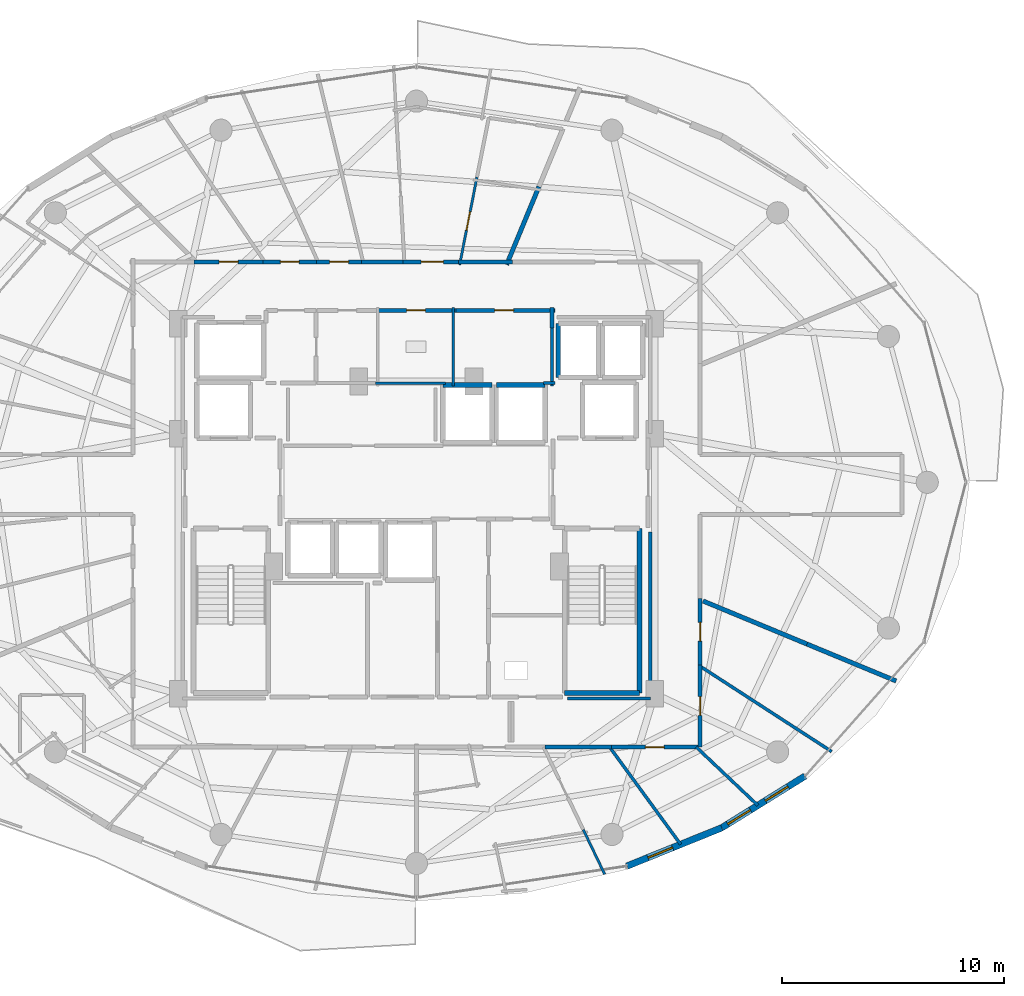
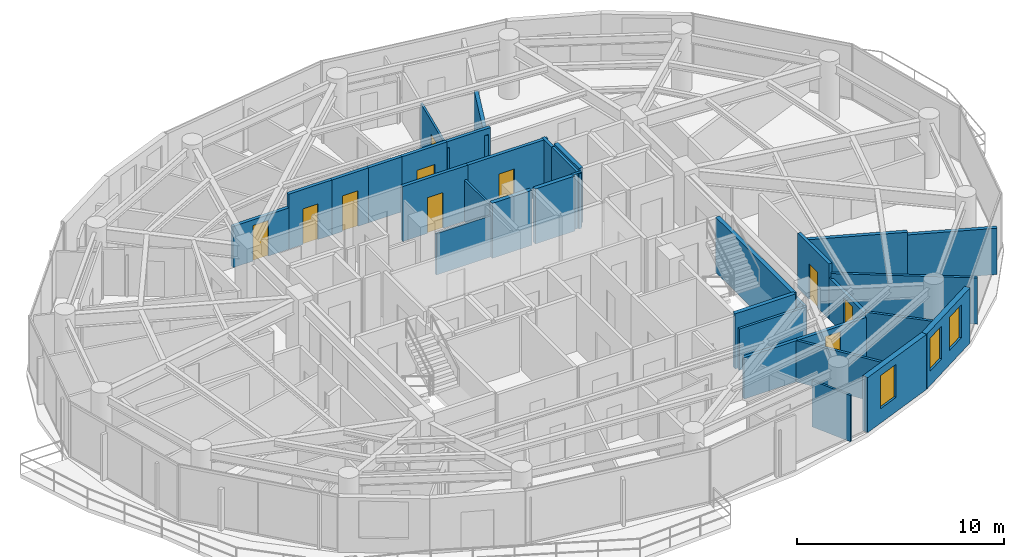
# One storey, part 23 of 28: 34 walls, 10 doors, 3 windows, 13 openings.
"""IFC4 building model written with IfcOpenShell, lengths in metres."""

from ifc_helpers import new_model, si_unit, direction, frame, frame_2d, origin, place, context, subcontext, project, spatial, rectangle, extrude, material, layer, layer_set, type_object, element, fill, save


model = new_model("IFC4")

# Units and contexts
model_context = context("Model", 3, precision=1e-05, world=origin(), true_north=direction((0.0, 1.0)))
body_context = subcontext(model_context, "Body", "Model", "MODEL_VIEW")
ifc_project = project(units=[si_unit("LENGTHUNIT", "METRE"), si_unit("AREAUNIT", "SQUARE_METRE"), si_unit("VOLUMEUNIT", "CUBIC_METRE"), si_unit("PLANEANGLEUNIT", "RADIAN"), si_unit("MASSUNIT", "GRAM", prefix="KILO")], contexts=[model_context])

# Site, building, storey
site_placement = place(None, origin())
site = spatial("IfcSite", under=ifc_project, at=site_placement, CompositionType="ELEMENT")
building_placement = place(site_placement, origin())
building = spatial("IfcBuilding", under=site, at=building_placement, Name="Vorneva Point Tower", CompositionType="ELEMENT")
storey_placement = place(building_placement, frame((0.0, 0.0, 164.10009765625)))
storey = spatial("IfcBuildingStorey", under=building, at=storey_placement, Name="L44", CompositionType="ELEMENT", Elevation=164.10009765625)

# Wall, opening, window
ifc_material_1 = material(Name="Precast concrete B50 (C40/50)", Category="concrete")
ifc_layer_1 = layer(ifc_material_1, 0.300048828125)
ifc_layer_set_1 = layer_set([ifc_layer_1], Name="Precast concrete B50 (C40/50)")
wall_type_1 = type_object("IfcWallType", Name="WL-EXT-300", PredefinedType="STANDARD", material=ifc_layer_set_1)
wall_1_placement = place(storey_placement, frame((47.490478515625, 8.67724609375, 0.0), z_axis=(0.0, 0.0, 1.0), x_axis=(0.927156504392, 0.374674280359, 0.0)))
wall_1 = element("IfcWall", 1, at=wall_1_placement, inside=storey, type_object=wall_type_1, Name="L44 Pale-Metal Facade Spandrel Wall 14.1", PredefinedType="STANDARD", context=body_context, shape_type="SweptSolid", body=[
    extrude(rectangle(XDim=4.62451171875, YDim=0.300048828125, at=frame_2d((2.312255859375, 0.0))), origin(), (0.0, 0.0, 1.0), 3.239990234375),
])
opening_1_placement = place(wall_1_placement, frame((1.02978515625, 0.0, 0.85009765625)))
opening_1 = element("IfcOpeningElement", 2, at=opening_1_placement, cuts=wall_1, Name="Opening W-04", PredefinedType="OPENING", context=body_context, shape_type="SweptSolid", body=[
    extrude(rectangle(XDim=1.199951171875, YDim=1.949951171875, at=frame_2d((0.60009765625, 0.97509765625))), frame((0.0, 0.1650390625, 0.0), z_axis=(0.0, -1.0, 0.0), x_axis=(1.0, 0.0, 0.0)), (0.0, 0.0, 1.0), 0.329833984375),
])
ifc_material_2 = material(Name="Double low-e laminated glass IGU", Category="glass")
window_type = type_object("IfcWindowType", Name="WN-RES-1200", PartitioningType="SINGLE_PANEL", PredefinedType="WINDOW", material=ifc_material_2)
window_1_placement = place(opening_1_placement, origin())
window_1 = element("IfcWindow", 3, at=window_1_placement, inside=storey, type_object=window_type, Name="L44 Dwelling Vision Window 03", OverallHeight=1.949951171875, OverallWidth=1.199951171875, PartitioningType="SINGLE_PANEL", PredefinedType="WINDOW", context=body_context, shape_type="SweptSolid", body=[
    extrude(rectangle(XDim=1.199951171875, YDim=1.949951171875, at=frame_2d((0.60009765625, 0.97509765625))), frame((0.0, 0.030029296875, 0.0), z_axis=(0.0, -1.0, 0.0), x_axis=(1.0, 0.0, 0.0)), (0.0, 0.0, 1.0), 0.06005859375),
])
fill(opening_1, window_1)

# Wall, openings, windows
wall_2_placement = place(storey_placement, frame((51.778076171875, 10.409912109375, 0.0), z_axis=(0.0, 0.0, 1.0), x_axis=(0.849721181976, 0.527232313977, 0.0)))
wall_2 = element("IfcWall", 4, at=wall_2_placement, inside=storey, type_object=wall_type_1, Name="L44 Pale-Metal Facade Spandrel Wall 14.2", PredefinedType="STANDARD", context=body_context, shape_type="SweptSolid", body=[
    extrude(rectangle(XDim=4.422607421875, YDim=0.300048828125, at=frame_2d((2.21142578125, 0.0))), origin(), (0.0, 0.0, 1.0), 3.239990234375),
])
opening_2_placement = place(wall_2_placement, frame((0.316650390625, 0.0, 0.85009765625)))
opening_2 = element("IfcOpeningElement", 5, at=opening_2_placement, cuts=wall_2, Name="Opening W-04", PredefinedType="OPENING", context=body_context, shape_type="SweptSolid", body=[
    extrude(rectangle(XDim=1.199951171875, YDim=1.949951171875, at=frame_2d((0.60009765625, 0.97509765625))), frame((0.0, 0.1650390625, 0.0), z_axis=(0.0, -1.0, 0.0), x_axis=(1.0, 0.0, 0.0)), (0.0, 0.0, 1.0), 0.329833984375),
])
opening_3_placement = place(wall_2_placement, frame((2.317626953125, 0.0, 0.85009765625)))
opening_3 = element("IfcOpeningElement", 6, at=opening_3_placement, cuts=wall_2, Name="Opening W-04", PredefinedType="OPENING", context=body_context, shape_type="SweptSolid", body=[
    extrude(rectangle(XDim=1.199951171875, YDim=1.949951171875, at=frame_2d((0.60009765625, 0.97509765625))), frame((0.0, 0.1650390625, 0.0), z_axis=(0.0, -1.0, 0.0), x_axis=(1.0, 0.0, 0.0)), (0.0, 0.0, 1.0), 0.329833984375),
])
window_2_placement = place(opening_2_placement, origin())
window_2 = element("IfcWindow", 7, at=window_2_placement, inside=storey, type_object=window_type, Name="L44 Dwelling Vision Window 04", OverallHeight=1.949951171875, OverallWidth=1.199951171875, PartitioningType="SINGLE_PANEL", PredefinedType="WINDOW", context=body_context, shape_type="SweptSolid", body=[
    extrude(rectangle(XDim=1.199951171875, YDim=1.949951171875, at=frame_2d((0.60009765625, 0.97509765625))), frame((0.0, 0.030029296875, 0.0), z_axis=(0.0, -1.0, 0.0), x_axis=(1.0, 0.0, 0.0)), (0.0, 0.0, 1.0), 0.06005859375),
])
fill(opening_2, window_2)
window_3_placement = place(opening_3_placement, origin())
window_3 = element("IfcWindow", 8, at=window_3_placement, inside=storey, type_object=window_type, Name="L44 Dwelling Vision Window 05", OverallHeight=1.949951171875, OverallWidth=1.199951171875, PartitioningType="SINGLE_PANEL", PredefinedType="WINDOW", context=body_context, shape_type="SweptSolid", body=[
    extrude(rectangle(XDim=1.199951171875, YDim=1.949951171875, at=frame_2d((0.60009765625, 0.97509765625))), frame((0.0, 0.030029296875, 0.0), z_axis=(0.0, -1.0, 0.0), x_axis=(1.0, 0.0, 0.0)), (0.0, 0.0, 1.0), 0.06005859375),
])
fill(opening_3, window_3)

# Walls
ifc_material_3 = material(Name="Fire-rated acoustic gypsum stud partition", Category="gypsum")
ifc_layer_2 = layer(ifc_material_3, 0.110107421875)
ifc_layer_set_2 = layer_set([ifc_layer_2], Name="Fire-rated acoustic gypsum stud partition")
wall_type_2 = type_object("IfcWallType", Name="WL-PART-110", PredefinedType="PARTITIONING", material=ifc_layer_set_2)
wall_3_placement = place(storey_placement, frame((39.64990234375, 30.340087890625, 0.0), z_axis=(0.0, 0.0, 1.0), x_axis=(0.0, 1.0, 0.0)))
element("IfcWall", 9, at=wall_3_placement, inside=storey, type_object=wall_type_2, Name="L44 Interior Partition 022", PredefinedType="PARTITIONING", context=body_context, shape_type="SweptSolid", body=[
    extrude(rectangle(XDim=3.559814453125, YDim=0.110107421875, at=frame_2d((1.77978515625, 0.0))), origin(), (0.0, 0.0, 1.0), 2.431884765625),
])
wall_4_placement = place(storey_placement, frame((36.159912109375, 30.47998046875, 0.0), z_axis=(0.0, 0.0, 1.0), x_axis=(1.0, 0.0, 0.0)))
element("IfcWall", 10, at=wall_4_placement, inside=storey, type_object=wall_type_2, Name="L44 Interior Partition 023", PredefinedType="PARTITIONING", context=body_context, shape_type="SweptSolid", body=[
    extrude(rectangle(XDim=3.16015625, YDim=0.110107421875, at=frame_2d((1.580078125, 0.0))), origin(), (0.0, 0.0, 1.0), 2.431884765625),
])

# Wall, opening, door
wall_5_placement = place(storey_placement, frame((39.94580078125, 35.812744140625, 0.0), z_axis=(0.0, 0.0, 1.0), x_axis=(0.194333977895, 0.980935423479, 0.0)))
wall_5 = element("IfcWall", 11, at=wall_5_placement, inside=storey, type_object=wall_type_2, Name="L44 Interior Partition 066", PredefinedType="PARTITIONING", context=body_context, shape_type="SweptSolid", body=[
    extrude(rectangle(XDim=4.031494140625, YDim=0.110107421875, at=frame_2d((2.015625, 0.0))), origin(), (0.0, 0.0, 1.0), 2.885986328125),
])
opening_4_placement = place(wall_5_placement, frame((1.5908203125, 0.0, 0.0)))
opening_4 = element("IfcOpeningElement", 12, at=opening_4_placement, cuts=wall_5, Name="Opening ID-02", PredefinedType="OPENING", context=body_context, shape_type="SweptSolid", body=[
    extrude(rectangle(XDim=0.85009765625, YDim=2.10009765625, at=frame_2d((0.425048828125, 1.050048828125))), frame((0.0, 0.06982421875, 0.0), z_axis=(0.0, -1.0, 0.0), x_axis=(1.0, 0.0, 0.0)), (0.0, 0.0, 1.0), 0.139892578125),
])
ifc_material_4 = material(Name="Engineered oak fire-rated door leaf", Category="wood")
door_type_1 = type_object("IfcDoorType", Name="DR-BATH-850", OperationType="NOTDEFINED", PredefinedType="DOOR", material=ifc_material_4)
door_1_placement = place(opening_4_placement, origin())
door_1 = element("IfcDoor", 13, at=door_1_placement, inside=storey, type_object=door_type_1, Name="L44 Door Living and Dining Room L44-01 / Bathroom L44-01", OperationType="SINGLE_SWING_LEFT", OverallHeight=2.10009765625, OverallWidth=0.85009765625, PredefinedType="DOOR", context=body_context, shape_type="SweptSolid", body=[
    extrude(rectangle(XDim=0.85009765625, YDim=2.10009765625, at=frame_2d((0.425048828125, 1.050048828125))), frame((0.0, 0.02490234375, 0.0), z_axis=(0.0, -1.0, 0.0), x_axis=(1.0, 0.0, 0.0)), (0.0, 0.0, 1.0), 0.050048828125),
])
fill(opening_4, door_1)

# Walls
wall_6_placement = place(storey_placement, frame((45.525390625, 10.3271484375, 0.0), z_axis=(0.0, 0.0, 1.0), x_axis=(0.433064390328, -0.901362986721, 0.0)))
element("IfcWall", 14, at=wall_6_placement, inside=storey, type_object=wall_type_2, Name="L44 Interior Partition 118", PredefinedType="PARTITIONING", context=body_context, shape_type="SweptSolid", body=[
    extrude(rectangle(XDim=2.238037109375, YDim=0.110107421875, at=frame_2d((1.119140625, 0.0))), origin(), (0.0, 0.0, 1.0), 2.727783203125),
])
ifc_layer_3 = layer(ifc_material_3, 0.139892578125)
ifc_layer_set_3 = layer_set([ifc_layer_3], Name="Fire-rated acoustic gypsum stud partition")
wall_type_3 = type_object("IfcWallType", Name="WL-PART-140", PredefinedType="PARTITIONING", material=ifc_layer_set_3)
wall_7_placement = place(storey_placement, frame((49.919921875, 9.660888671875, 0.0), z_axis=(0.0, 0.0, 1.0), x_axis=(-0.589349395673, 0.807878264233, 0.0)))
element("IfcWall", 15, at=wall_7_placement, inside=storey, type_object=wall_type_3, Name="L44 Interior Partition 121", PredefinedType="PARTITIONING", context=body_context, shape_type="SweptSolid", body=[
    extrude(rectangle(XDim=5.432861328125, YDim=0.139892578125, at=frame_2d((2.71630859375, 0.0))), origin(), (0.0, 0.0, 1.0), 2.431884765625),
])
wall_8_placement = place(storey_placement, frame((53.404052734375, 11.4208984375, 0.0), z_axis=(0.0, 0.0, 1.0), x_axis=(-0.726306487509, 0.687370996044, 0.0)))
element("IfcWall", 16, at=wall_8_placement, inside=storey, type_object=wall_type_3, Name="L44 Interior Partition 122", PredefinedType="PARTITIONING", context=body_context, shape_type="SweptSolid", body=[
    extrude(rectangle(XDim=3.824951171875, YDim=0.139892578125, at=frame_2d((1.91259765625, 0.0))), origin(), (0.0, 0.0, 1.0), 2.727783203125),
])
wall_9_placement = place(storey_placement, frame((56.736083984375, 13.85009765625, 0.0), z_axis=(0.0, 0.0, 1.0), x_axis=(-0.839059638195, 0.544039450364, 0.0)))
element("IfcWall", 17, at=wall_9_placement, inside=storey, type_object=wall_type_3, Name="L44 Interior Partition 123", PredefinedType="PARTITIONING", context=body_context, shape_type="SweptSolid", body=[
    extrude(rectangle(XDim=7.07470703125, YDim=0.139892578125, at=frame_2d((3.537353515625, 0.0))), origin(), (0.0, 0.0, 1.0), 2.727783203125),
])
wall_10_placement = place(storey_placement, frame((43.735107421875, 30.47998046875, 0.0), z_axis=(0.0, 0.0, 1.0), x_axis=(1.0, 0.0, 0.0)))
element("IfcWall", 18, at=wall_10_placement, inside=storey, type_object=wall_type_3, Name="L44 Interior Closure Partition 130", PredefinedType="PARTITIONING", context=body_context, shape_type="SweptSolid", body=[
    extrude(rectangle(XDim=0.52490234375, YDim=0.139892578125, at=frame_2d((0.262451171875, 0.0))), origin(), (0.0, 0.0, 1.0), 3.239990234375),
])
wall_11_placement = place(storey_placement, frame((44.1201171875, 30.340087890625, 0.0), z_axis=(0.0, 0.0, 1.0), x_axis=(0.0, 1.0, 0.0)))
element("IfcWall", 19, at=wall_11_placement, inside=storey, type_object=wall_type_3, Name="L44 Interior Closure Partition 131", PredefinedType="PARTITIONING", context=body_context, shape_type="SweptSolid", body=[
    extrude(rectangle(XDim=2.659912109375, YDim=0.139892578125, at=frame_2d((1.330078125, 0.0))), origin(), (0.0, 0.0, 1.0), 3.239990234375),
])
wall_12_placement = place(storey_placement, frame((48.550048828125, 16.239990234375, 0.0), z_axis=(0.0, 0.0, 1.0), x_axis=(0.0, 1.0, 0.0)))
element("IfcWall", 20, at=wall_12_placement, inside=storey, type_object=wall_type_3, Name="L44 Interior Closure Partition 136", PredefinedType="PARTITIONING", context=body_context, shape_type="SweptSolid", body=[
    extrude(rectangle(XDim=7.513916015625, YDim=0.139892578125, at=frame_2d((3.7568359375, 0.0))), origin(), (0.0, 0.0, 1.0), 2.431884765625),
])
wall_13_placement = place(storey_placement, frame((44.804931640625, 16.239990234375, 0.0), z_axis=(0.0, 0.0, 1.0), x_axis=(1.0, 0.0, 0.0)))
element("IfcWall", 21, at=wall_13_placement, inside=storey, type_object=wall_type_3, Name="L44 Interior Closure Partition 146", PredefinedType="PARTITIONING", context=body_context, shape_type="SweptSolid", body=[
    extrude(rectangle(XDim=3.7451171875, YDim=0.139892578125, at=frame_2d((1.87255859375, 0.0))), origin(), (0.0, 0.0, 1.0), 2.431884765625),
])

# Wall, opening, door
ifc_material_5 = material(Name="Autoclaved aerated concrete blockwork", Category="masonry")
ifc_layer_4 = layer(ifc_material_5, 0.179931640625)
ifc_layer_set_4 = layer_set([ifc_layer_4], Name="Autoclaved aerated concrete blockwork")
wall_type_4 = type_object("IfcWallType", Name="WL-PART-180", PredefinedType="PARTITIONING", material=ifc_layer_set_4)
wall_14_placement = place(storey_placement, frame((39.7900390625, 33.760009765625, 0.0), z_axis=(0.0, 0.0, 1.0), x_axis=(-1.0, 0.0, 0.0)))
wall_14 = element("IfcWall", 22, at=wall_14_placement, inside=storey, type_object=wall_type_4, Name="L44 Interior Partition 024", PredefinedType="PARTITIONING", context=body_context, shape_type="SweptSolid", body=[
    extrude(rectangle(XDim=3.630126953125, YDim=0.179931640625, at=frame_2d((1.81494140625, 0.0))), origin(), (0.0, 0.0, 1.0), 3.239990234375),
])
opening_5_placement = place(wall_14_placement, frame((1.389892578125, 0.0, 0.0)))
opening_5 = element("IfcOpeningElement", 23, at=opening_5_placement, cuts=wall_14, Name="Opening ID-02", PredefinedType="OPENING", context=body_context, shape_type="SweptSolid", body=[
    extrude(rectangle(XDim=0.85009765625, YDim=2.10009765625, at=frame_2d((0.425048828125, 1.050048828125))), frame((0.0, 0.10498046875, 0.0), z_axis=(0.0, -1.0, 0.0), x_axis=(1.0, 0.0, 0.0)), (0.0, 0.0, 1.0), 0.209716796875),
])
door_2_placement = place(opening_5_placement, origin())
door_2 = element("IfcDoor", 24, at=door_2_placement, inside=storey, type_object=door_type_1, Name="L44 Door Accessible WC / L44 Circulation Corridor", OperationType="SINGLE_SWING_LEFT", OverallHeight=2.10009765625, OverallWidth=0.85009765625, PredefinedType="DOOR", context=body_context, shape_type="SweptSolid", body=[
    extrude(rectangle(XDim=0.85009765625, YDim=2.10009765625, at=frame_2d((0.425048828125, 1.050048828125))), frame((0.0, 0.02490234375, 0.0), z_axis=(0.0, -1.0, 0.0), x_axis=(1.0, 0.0, 0.0)), (0.0, 0.0, 1.0), 0.050048828125),
])
fill(opening_5, door_2)

wall_15_placement = place(storey_placement, frame((44.260009765625, 33.760009765625, 0.0), z_axis=(0.0, 0.0, 1.0), x_axis=(-1.0, 0.0, 0.0)))
wall_15 = element("IfcWall", 25, at=wall_15_placement, inside=storey, type_object=wall_type_4, Name="L44 Interior Partition 025", PredefinedType="PARTITIONING", context=body_context, shape_type="SweptSolid", body=[
    extrude(rectangle(XDim=4.610107421875, YDim=0.179931640625, at=frame_2d((2.30517578125, 0.0))), origin(), (0.0, 0.0, 1.0), 3.239990234375),
])
opening_6_placement = place(wall_15_placement, frame((1.8798828125, 0.0, 0.0)))
opening_6 = element("IfcOpeningElement", 26, at=opening_6_placement, cuts=wall_15, Name="Opening ID-02", PredefinedType="OPENING", context=body_context, shape_type="SweptSolid", body=[
    extrude(rectangle(XDim=0.85009765625, YDim=2.10009765625, at=frame_2d((0.425048828125, 1.050048828125))), frame((0.0, 0.10498046875, 0.0), z_axis=(0.0, -1.0, 0.0), x_axis=(1.0, 0.0, 0.0)), (0.0, 0.0, 1.0), 0.209716796875),
])
door_3_placement = place(opening_6_placement, origin())
door_3 = element("IfcDoor", 27, at=door_3_placement, inside=storey, type_object=door_type_1, Name="L44 Door Public WC / L44 Circulation Corridor", OperationType="SINGLE_SWING_RIGHT", OverallHeight=2.10009765625, OverallWidth=0.85009765625, PredefinedType="DOOR", context=body_context, shape_type="SweptSolid", body=[
    extrude(rectangle(XDim=0.85009765625, YDim=2.10009765625, at=frame_2d((0.425048828125, 1.050048828125))), frame((0.0, 0.02490234375, 0.0), z_axis=(0.0, -1.0, 0.0), x_axis=(1.0, 0.0, 0.0)), (0.0, 0.0, 1.0), 0.050048828125),
])
fill(opening_6, door_3)

# Wall
wall_16_placement = place(storey_placement, frame((44.1201171875, 32.969970703125, 0.0), z_axis=(0.0, 0.0, 1.0), x_axis=(0.0, 1.0, 0.0)))
element("IfcWall", 28, at=wall_16_placement, inside=storey, type_object=wall_type_4, Name="L44 Interior Partition 026", PredefinedType="PARTITIONING", context=body_context, shape_type="SweptSolid", body=[
    extrude(rectangle(XDim=0.929931640625, YDim=0.179931640625, at=frame_2d((0.46484375, 0.0))), origin(), (0.0, 0.0, 1.0), 3.239990234375),
])

# Wall, opening, door
wall_17_placement = place(storey_placement, frame((40.033935546875, 35.949951171875, 0.0), z_axis=(0.0, 0.0, 1.0), x_axis=(-1.0, 0.0, 0.0)))
wall_17 = element("IfcWall", 29, at=wall_17_placement, inside=storey, type_object=wall_type_4, Name="L44 Interior Partition 030", PredefinedType="PARTITIONING", context=body_context, shape_type="SweptSolid", body=[
    extrude(rectangle(XDim=2.641845703125, YDim=0.179931640625, at=frame_2d((1.32080078125, 0.0))), origin(), (0.0, 0.0, 1.0), 3.239990234375),
])
opening_7_placement = place(wall_17_placement, frame((0.821044921875, 0.0, 0.0)))
opening_7 = element("IfcOpeningElement", 30, at=opening_7_placement, cuts=wall_17, Name="Opening UD-01", PredefinedType="OPENING", context=body_context, shape_type="SweptSolid", body=[
    extrude(rectangle(XDim=1.0, YDim=2.14990234375, at=frame_2d((0.5, 1.074951171875))), frame((0.0, 0.10498046875, 0.0), z_axis=(0.0, -1.0, 0.0), x_axis=(1.0, 0.0, 0.0)), (0.0, 0.0, 1.0), 0.209716796875),
])
door_type_2 = type_object("IfcDoorType", Name="DR-UNIT-1000", OperationType="NOTDEFINED", PredefinedType="DOOR", material=ifc_material_4)
door_4_placement = place(opening_7_placement, origin())
door_4 = element("IfcDoor", 31, at=door_4_placement, inside=storey, type_object=door_type_2, Name="L44 Door L44 Circulation Corridor / Living and Dining Room L44-01", OperationType="SINGLE_SWING_LEFT", OverallHeight=2.14990234375, OverallWidth=1.0, PredefinedType="DOOR", context=body_context, shape_type="SweptSolid", body=[
    extrude(rectangle(XDim=1.0, YDim=2.14990234375, at=frame_2d((0.5, 1.074951171875))), frame((0.0, 0.02490234375, 0.0), z_axis=(0.0, -1.0, 0.0), x_axis=(1.0, 0.0, 0.0)), (0.0, 0.0, 1.0), 0.050048828125),
])
fill(opening_7, door_4)

# Walls
wall_18_placement = place(storey_placement, frame((42.325927734375, 35.949951171875, 0.0), z_axis=(0.0, 0.0, 1.0), x_axis=(-1.0, 0.0, 0.0)))
element("IfcWall", 32, at=wall_18_placement, inside=storey, type_object=wall_type_4, Name="L44 Interior Partition 031", PredefinedType="PARTITIONING", context=body_context, shape_type="SweptSolid", body=[
    extrude(rectangle(XDim=2.431884765625, YDim=0.179931640625, at=frame_2d((1.2158203125, 0.0))), origin(), (0.0, 0.0, 1.0), 3.239990234375),
])
wall_19_placement = place(storey_placement, frame((37.39208984375, 35.949951171875, 0.0), z_axis=(0.0, 0.0, 1.0), x_axis=(-1.0, 0.0, 0.0)))
element("IfcWall", 33, at=wall_19_placement, inside=storey, type_object=wall_type_4, Name="L44 Interior Partition 032", PredefinedType="PARTITIONING", context=body_context, shape_type="SweptSolid", body=[
    extrude(rectangle(XDim=1.863037109375, YDim=0.179931640625, at=frame_2d((0.931640625, 0.0))), origin(), (0.0, 0.0, 1.0), 3.239990234375),
])

# Wall, opening, door
wall_20_placement = place(storey_placement, frame((35.529052734375, 35.949951171875, 0.0), z_axis=(0.0, 0.0, 1.0), x_axis=(-1.0, 0.0, 0.0)))
wall_20 = element("IfcWall", 34, at=wall_20_placement, inside=storey, type_object=wall_type_4, Name="L44 Interior Partition 033", PredefinedType="PARTITIONING", context=body_context, shape_type="SweptSolid", body=[
    extrude(rectangle(XDim=2.041015625, YDim=0.179931640625, at=frame_2d((1.0205078125, 0.0))), origin(), (0.0, 0.0, 1.0), 3.239990234375),
])
opening_8_placement = place(wall_20_placement, frame((0.595458984375, 0.0, 0.0)))
opening_8 = element("IfcOpeningElement", 35, at=opening_8_placement, cuts=wall_20, Name="Opening ID-02", PredefinedType="OPENING", context=body_context, shape_type="SweptSolid", body=[
    extrude(rectangle(XDim=0.85009765625, YDim=2.10009765625, at=frame_2d((0.425048828125, 1.050048828125))), frame((0.0, 0.10498046875, 0.0), z_axis=(0.0, -1.0, 0.0), x_axis=(1.0, 0.0, 0.0)), (0.0, 0.0, 1.0), 0.209716796875),
])
door_5_placement = place(opening_8_placement, origin())
door_5 = element("IfcDoor", 36, at=door_5_placement, inside=storey, type_object=door_type_1, Name="L44 Access Door L44 Circulation Corridor", OperationType="SINGLE_SWING_RIGHT", OverallHeight=2.10009765625, OverallWidth=0.85009765625, PredefinedType="DOOR", context=body_context, shape_type="SweptSolid", body=[
    extrude(rectangle(XDim=0.85009765625, YDim=2.10009765625, at=frame_2d((0.425048828125, 1.050048828125))), frame((0.0, 0.02490234375, 0.0), z_axis=(0.0, -1.0, 0.0), x_axis=(1.0, 0.0, 0.0)), (0.0, 0.0, 1.0), 0.050048828125),
])
fill(opening_8, door_5)

wall_21_placement = place(storey_placement, frame((33.488037109375, 35.949951171875, 0.0), z_axis=(0.0, 0.0, 1.0), x_axis=(-1.0, 0.0, 0.0)))
wall_21 = element("IfcWall", 37, at=wall_21_placement, inside=storey, type_object=wall_type_4, Name="L44 Interior Partition 034", PredefinedType="PARTITIONING", context=body_context, shape_type="SweptSolid", body=[
    extrude(rectangle(XDim=2.408935546875, YDim=0.179931640625, at=frame_2d((1.20458984375, 0.0))), origin(), (0.0, 0.0, 1.0), 3.239990234375),
])
opening_9_placement = place(wall_21_placement, frame((0.779541015625, 0.0, 0.0)))
opening_9 = element("IfcOpeningElement", 38, at=opening_9_placement, cuts=wall_21, Name="Opening ID-02", PredefinedType="OPENING", context=body_context, shape_type="SweptSolid", body=[
    extrude(rectangle(XDim=0.85009765625, YDim=2.10009765625, at=frame_2d((0.425048828125, 1.050048828125))), frame((0.0, 0.10498046875, 0.0), z_axis=(0.0, -1.0, 0.0), x_axis=(1.0, 0.0, 0.0)), (0.0, 0.0, 1.0), 0.209716796875),
])
door_6_placement = place(opening_9_placement, origin())
door_6 = element("IfcDoor", 39, at=door_6_placement, inside=storey, type_object=door_type_1, Name="L44 Access Door L44 Circulation Corridor", OperationType="SINGLE_SWING_LEFT", OverallHeight=2.10009765625, OverallWidth=0.85009765625, PredefinedType="DOOR", context=body_context, shape_type="SweptSolid", body=[
    extrude(rectangle(XDim=0.85009765625, YDim=2.10009765625, at=frame_2d((0.425048828125, 1.050048828125))), frame((0.0, 0.02490234375, 0.0), z_axis=(0.0, -1.0, 0.0), x_axis=(1.0, 0.0, 0.0)), (0.0, 0.0, 1.0), 0.050048828125),
])
fill(opening_9, door_6)

wall_22_placement = place(storey_placement, frame((31.0791015625, 35.949951171875, 0.0), z_axis=(0.0, 0.0, 1.0), x_axis=(-1.0, 0.0, 0.0)))
wall_22 = element("IfcWall", 40, at=wall_22_placement, inside=storey, type_object=wall_type_4, Name="L44 Interior Partition 035", PredefinedType="PARTITIONING", context=body_context, shape_type="SweptSolid", body=[
    extrude(rectangle(XDim=3.114013671875, YDim=0.179931640625, at=frame_2d((1.55712890625, 0.0))), origin(), (0.0, 0.0, 1.0), 2.431884765625),
])
opening_10_placement = place(wall_22_placement, frame((1.132080078125, 0.0, 0.0)))
opening_10 = element("IfcOpeningElement", 41, at=opening_10_placement, cuts=wall_22, Name="Opening ID-02", PredefinedType="OPENING", context=body_context, shape_type="SweptSolid", body=[
    extrude(rectangle(XDim=0.85009765625, YDim=2.10009765625, at=frame_2d((0.425048828125, 1.050048828125))), frame((0.0, 0.10498046875, 0.0), z_axis=(0.0, -1.0, 0.0), x_axis=(1.0, 0.0, 0.0)), (0.0, 0.0, 1.0), 0.209716796875),
])
door_7_placement = place(opening_10_placement, origin())
door_7 = element("IfcDoor", 42, at=door_7_placement, inside=storey, type_object=door_type_1, Name="L44 Access Door L44 Circulation Corridor", OperationType="SINGLE_SWING_RIGHT", OverallHeight=2.10009765625, OverallWidth=0.85009765625, PredefinedType="DOOR", context=body_context, shape_type="SweptSolid", body=[
    extrude(rectangle(XDim=0.85009765625, YDim=2.10009765625, at=frame_2d((0.425048828125, 1.050048828125))), frame((0.0, 0.02490234375, 0.0), z_axis=(0.0, -1.0, 0.0), x_axis=(1.0, 0.0, 0.0)), (0.0, 0.0, 1.0), 0.050048828125),
])
fill(opening_10, door_7)

# Wall
wall_23_placement = place(storey_placement, frame((43.804931640625, 14.050048828125, 0.0), z_axis=(0.0, 0.0, 1.0), x_axis=(1.0, 0.0, 0.0)))
element("IfcWall", 43, at=wall_23_placement, inside=storey, type_object=wall_type_4, Name="L44 Interior Partition 055", PredefinedType="PARTITIONING", context=body_context, shape_type="SweptSolid", body=[
    extrude(rectangle(XDim=2.987060546875, YDim=0.179931640625, at=frame_2d((1.49365234375, 0.0))), origin(), (0.0, 0.0, 1.0), 2.431884765625),
])

# Wall, opening, door
wall_24_placement = place(storey_placement, frame((46.7919921875, 14.050048828125, 0.0), z_axis=(0.0, 0.0, 1.0), x_axis=(1.0, 0.0, 0.0)))
wall_24 = element("IfcWall", 44, at=wall_24_placement, inside=storey, type_object=wall_type_4, Name="L44 Interior Partition 056", PredefinedType="PARTITIONING", context=body_context, shape_type="SweptSolid", body=[
    extrude(rectangle(XDim=3.9208984375, YDim=0.179931640625, at=frame_2d((1.96044921875, 0.0))), origin(), (0.0, 0.0, 1.0), 2.431884765625),
])
opening_11_placement = place(wall_24_placement, frame((1.535400390625, 0.0, 0.0)))
opening_11 = element("IfcOpeningElement", 45, at=opening_11_placement, cuts=wall_24, Name="Opening ID-02", PredefinedType="OPENING", context=body_context, shape_type="SweptSolid", body=[
    extrude(rectangle(XDim=0.85009765625, YDim=2.10009765625, at=frame_2d((0.425048828125, 1.050048828125))), frame((0.0, 0.10498046875, 0.0), z_axis=(0.0, -1.0, 0.0), x_axis=(1.0, 0.0, 0.0)), (0.0, 0.0, 1.0), 0.209716796875),
])
door_8_placement = place(opening_11_placement, origin())
door_8 = element("IfcDoor", 46, at=door_8_placement, inside=storey, type_object=door_type_1, Name="L44 Access Door L44 Circulation Corridor", OperationType="SINGLE_SWING_LEFT", OverallHeight=2.10009765625, OverallWidth=0.85009765625, PredefinedType="DOOR", context=body_context, shape_type="SweptSolid", body=[
    extrude(rectangle(XDim=0.85009765625, YDim=2.10009765625, at=frame_2d((0.425048828125, 1.050048828125))), frame((0.0, 0.02490234375, 0.0), z_axis=(0.0, -1.0, 0.0), x_axis=(1.0, 0.0, 0.0)), (0.0, 0.0, 1.0), 0.050048828125),
])
fill(opening_11, door_8)

wall_25_placement = place(storey_placement, frame((50.800048828125, 14.050048828125, 0.0), z_axis=(0.0, 0.0, 1.0), x_axis=(0.0, 1.0, 0.0)))
wall_25 = element("IfcWall", 47, at=wall_25_placement, inside=storey, type_object=wall_type_4, Name="L44 Interior Partition 057", PredefinedType="PARTITIONING", context=body_context, shape_type="SweptSolid", body=[
    extrude(rectangle(XDim=3.708984375, YDim=0.179931640625, at=frame_2d((1.8544921875, 0.0))), origin(), (0.0, 0.0, 1.0), 2.431884765625),
])
opening_12_placement = place(wall_25_placement, frame((1.429443359375, 0.0, 0.0)))
opening_12 = element("IfcOpeningElement", 48, at=opening_12_placement, cuts=wall_25, Name="Opening ID-02", PredefinedType="OPENING", context=body_context, shape_type="SweptSolid", body=[
    extrude(rectangle(XDim=0.85009765625, YDim=2.10009765625, at=frame_2d((0.425048828125, 1.050048828125))), frame((0.0, 0.10498046875, 0.0), z_axis=(0.0, -1.0, 0.0), x_axis=(1.0, 0.0, 0.0)), (0.0, 0.0, 1.0), 0.209716796875),
])
door_9_placement = place(opening_12_placement, origin())
door_9 = element("IfcDoor", 49, at=door_9_placement, inside=storey, type_object=door_type_1, Name="L44 Access Door L44 Circulation Corridor", OperationType="SINGLE_SWING_RIGHT", OverallHeight=2.10009765625, OverallWidth=0.85009765625, PredefinedType="DOOR", context=body_context, shape_type="SweptSolid", body=[
    extrude(rectangle(XDim=0.85009765625, YDim=2.10009765625, at=frame_2d((0.425048828125, 1.050048828125))), frame((0.0, 0.02490234375, 0.0), z_axis=(0.0, -1.0, 0.0), x_axis=(1.0, 0.0, 0.0)), (0.0, 0.0, 1.0), 0.050048828125),
])
fill(opening_12, door_9)

wall_26_placement = place(storey_placement, frame((50.800048828125, 17.759033203125, 0.0), z_axis=(0.0, 0.0, 1.0), x_axis=(0.0, 1.0, 0.0)))
wall_26 = element("IfcWall", 50, at=wall_26_placement, inside=storey, type_object=wall_type_4, Name="L44 Interior Partition 058", PredefinedType="PARTITIONING", context=body_context, shape_type="SweptSolid", body=[
    extrude(rectangle(XDim=2.9990234375, YDim=0.179931640625, at=frame_2d((1.49951171875, 0.0))), origin(), (0.0, 0.0, 1.0), 3.239990234375),
])
opening_13_placement = place(wall_26_placement, frame((1.074462890625, 0.0, 0.0)))
opening_13 = element("IfcOpeningElement", 51, at=opening_13_placement, cuts=wall_26, Name="Opening ID-02", PredefinedType="OPENING", context=body_context, shape_type="SweptSolid", body=[
    extrude(rectangle(XDim=0.85009765625, YDim=2.10009765625, at=frame_2d((0.425048828125, 1.050048828125))), frame((0.0, 0.10498046875, 0.0), z_axis=(0.0, -1.0, 0.0), x_axis=(1.0, 0.0, 0.0)), (0.0, 0.0, 1.0), 0.209716796875),
])
door_10_placement = place(opening_13_placement, origin())
door_10 = element("IfcDoor", 52, at=door_10_placement, inside=storey, type_object=door_type_1, Name="L44 Access Door L44 Circulation Corridor", OperationType="SINGLE_SWING_LEFT", OverallHeight=2.10009765625, OverallWidth=0.85009765625, PredefinedType="DOOR", context=body_context, shape_type="SweptSolid", body=[
    extrude(rectangle(XDim=0.85009765625, YDim=2.10009765625, at=frame_2d((0.425048828125, 1.050048828125))), frame((0.0, 0.02490234375, 0.0), z_axis=(0.0, -1.0, 0.0), x_axis=(1.0, 0.0, 0.0)), (0.0, 0.0, 1.0), 0.050048828125),
])
fill(opening_13, door_10)

# Walls
ifc_layer_5 = layer(ifc_material_5, 0.199951171875)
ifc_layer_set_5 = layer_set([ifc_layer_5], Name="Autoclaved aerated concrete blockwork")
wall_type_5 = type_object("IfcWallType", Name="WL-PART-200", PredefinedType="PARTITIONING", material=ifc_layer_set_5)
wall_27_placement = place(storey_placement, frame((42.0673828125, 35.82080078125, 0.0), z_axis=(0.0, 0.0, 1.0), x_axis=(0.382813734438, 0.92382554886, 0.0)))
element("IfcWall", 53, at=wall_27_placement, inside=storey, type_object=wall_type_5, Name="L44 Interior Partition 075", PredefinedType="PARTITIONING", context=body_context, shape_type="SweptSolid", body=[
    extrude(rectangle(XDim=3.811767578125, YDim=0.199951171875, at=frame_2d((1.90576171875, 0.0))), origin(), (0.0, 0.0, 1.0), 2.885986328125),
])
wall_28_placement = place(storey_placement, frame((59.64501953125, 17.033935546875, 0.0), z_axis=(0.0, 0.0, 1.0), x_axis=(-0.923874659351, 0.382695197002, 0.0)))
element("IfcWall", 54, at=wall_28_placement, inside=storey, type_object=wall_type_5, Name="L44 Interior Partition 124", PredefinedType="PARTITIONING", context=body_context, shape_type="SweptSolid", body=[
    extrude(rectangle(XDim=4.353271484375, YDim=0.199951171875, at=frame_2d((2.1767578125, 0.0))), origin(), (0.0, 0.0, 1.0), 2.727783203125),
])
wall_29_placement = place(storey_placement, frame((55.623046875, 18.699951171875, 0.0), z_axis=(0.0, 0.0, 1.0), x_axis=(-0.923813457571, 0.382842912446, 0.0)))
element("IfcWall", 55, at=wall_29_placement, inside=storey, type_object=wall_type_5, Name="L44 Interior Partition 125", PredefinedType="PARTITIONING", context=body_context, shape_type="SweptSolid", body=[
    extrude(rectangle(XDim=5.078125, YDim=0.199951171875, at=frame_2d((2.5390625, 0.0))), origin(), (0.0, 0.0, 1.0), 2.885986328125),
])
ifc_material_6 = material(Name="Concrete B50 (C40/50)", Category="concrete")
ifc_layer_6 = layer(ifc_material_6, 0.219970703125)
ifc_layer_set_6 = layer_set([ifc_layer_6], Name="Concrete B50 (C40/50)")
wall_type_6 = type_object("IfcWallType", Name="WL-SHFT-220", PredefinedType="SOLIDWALL", material=ifc_layer_set_6)
wall_30_placement = place(storey_placement, frame((48.06005859375, 23.909912109375, 0.0), z_axis=(0.0, 0.0, 1.0), x_axis=(0.0, -1.0, 0.0)))
element("IfcWall", 56, at=wall_30_placement, inside=storey, type_object=wall_type_6, Name="L44 Exit Stair ST2 Shaft Wall right", PredefinedType="SOLIDWALL", context=body_context, shape_type="SweptSolid", body=[
    extrude(rectangle(XDim=7.419921875, YDim=0.219970703125, at=frame_2d((3.7099609375, 0.0))), origin(), (0.0, 0.0, 1.0), 3.239990234375),
])
wall_31_placement = place(storey_placement, frame((48.06005859375, 16.489990234375, 0.0), z_axis=(0.0, 0.0, 1.0), x_axis=(-1.0, 0.0, 0.0)))
element("IfcWall", 57, at=wall_31_placement, inside=storey, type_object=wall_type_6, Name="L44 Exit Stair ST2 Shaft Wall far", PredefinedType="SOLIDWALL", context=body_context, shape_type="SweptSolid", body=[
    extrude(rectangle(XDim=3.3701171875, YDim=0.219970703125, at=frame_2d((1.68505859375, 0.0))), origin(), (0.0, 0.0, 1.0), 3.239990234375),
])
for number, where, z_axis, x_axis, name in (
    (58, (41.39990234375, 30.39990234375, 0.0), (0.0, 0.0, 1.0), (-1.0, 0.0, 0.0), "L44 Lift PL7 Shaft Wall +Y"),
    (59, (43.800048828125, 30.39990234375, 0.0), (0.0, 0.0, 1.0), (-1.0, 0.0, 0.0), "L44 Lift PL8 Shaft Wall +Y"),
):
    element("IfcWall", number, at=place(storey_placement, frame(where, z_axis=z_axis, x_axis=x_axis)), inside=storey, type_object=wall_type_6, Name=name, PredefinedType="SOLIDWALL", context=body_context, shape_type="SweptSolid", body=[
        extrude(rectangle(XDim=2.199951171875, YDim=0.219970703125, at=frame_2d((1.10009765625, 0.0))), origin(), (0.0, 0.0, 1.0), 3.239990234375),
    ])
wall_32_placement = place(storey_placement, frame((44.39990234375, 33.159912109375, 0.0), z_axis=(0.0, 0.0, 1.0), x_axis=(0.0, -1.0, 0.0)))
element("IfcWall", 60, at=wall_32_placement, inside=storey, type_object=wall_type_6, Name="L44 Lift EX1 Shaft Wall -X", PredefinedType="SOLIDWALL", context=body_context, shape_type="SweptSolid", body=[
    extrude(rectangle(XDim=2.419921875, YDim=0.219970703125, at=frame_2d((1.2099609375, 0.0))), origin(), (0.0, 0.0, 1.0), 3.239990234375),
])

save(model, "model.ifc")
